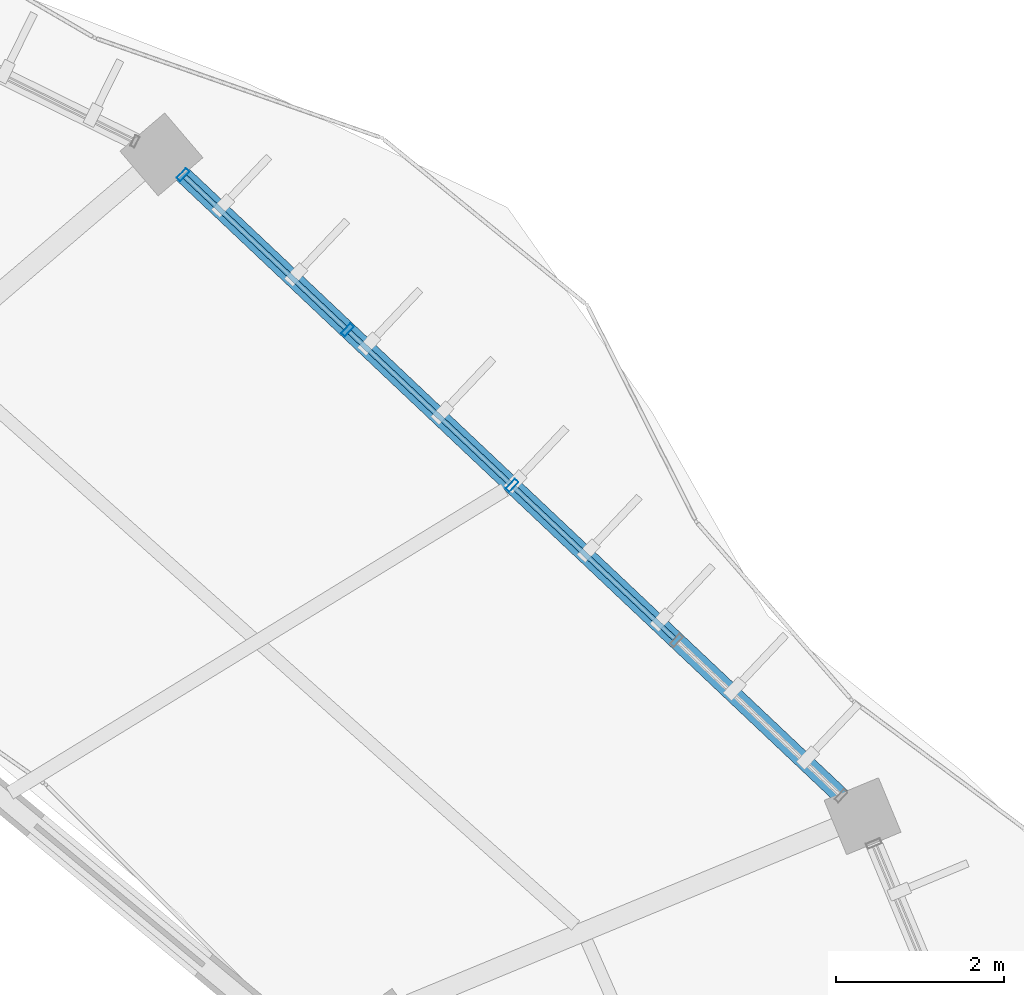
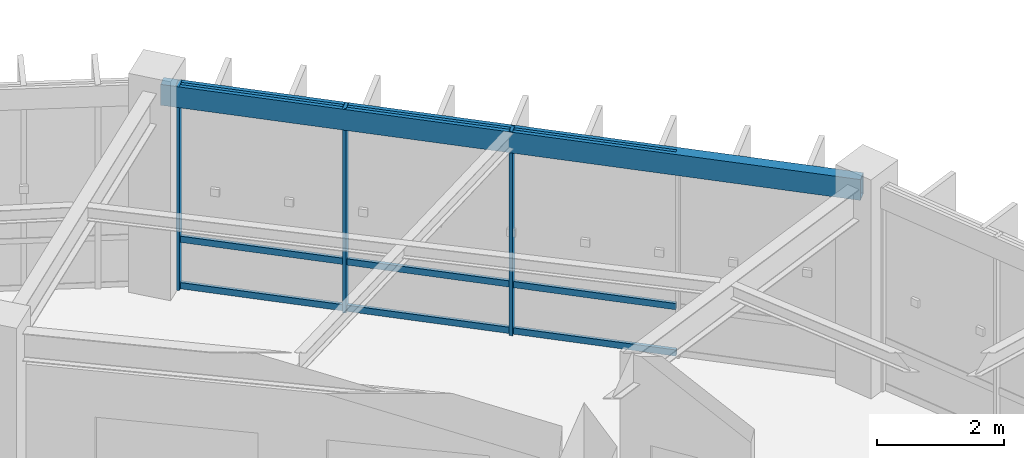
# One storey, part 100 of 138: 12 members, 1 beam, 1 element without a shape of its own.
"""IFC4 building model written with IfcOpenShell, lengths in metres."""

from ifc_helpers import new_model, si_unit, direction, frame, origin, origin_2d, place, context, subcontext, project, spatial, hollow_rectangle, extrude, material, material_profile, profile_set, type_object, element, aggregate, save


model = new_model("IFC4")

# Units and contexts
model_context = context("Model", 3, precision=1e-05, world=origin(), true_north=direction((0.0, 1.0)))
body_context = subcontext(model_context, "Body", "Model", "MODEL_VIEW")
ifc_project = project(units=[si_unit("LENGTHUNIT", "METRE"), si_unit("AREAUNIT", "SQUARE_METRE"), si_unit("VOLUMEUNIT", "CUBIC_METRE"), si_unit("PLANEANGLEUNIT", "RADIAN"), si_unit("MASSUNIT", "GRAM", prefix="KILO"), si_unit("THERMODYNAMICTEMPERATUREUNIT", "KELVIN"), si_unit("POWERUNIT", "WATT")], contexts=[model_context])

# Site, building, storey
site_placement = place(None, origin())
site = spatial("IfcSite", under=ifc_project, at=site_placement, CompositionType="ELEMENT")
building_placement = place(site_placement, origin())
building = spatial("IfcBuilding", under=site, at=building_placement, Name="Darbajah Civic Hall", CompositionType="ELEMENT")
storey_placement = place(building_placement, frame((0.0, 0.0, 9.60009765625)))
storey = spatial("IfcBuildingStorey", under=building, at=storey_placement, Name="L02", CompositionType="ELEMENT", Elevation=9.60009765625)

# Curtain wall, members
ifc_material_1 = material(Name="Anodised Bronze Aluminium and Low-E Glazing", Category="aluminium")
curtain_wall_type = type_object("IfcCurtainWallType", Name="Unitised Curtain Wall CW-39 10800x3900", PredefinedType="USERDEFINED", material=ifc_material_1)
curtain_wall_placement = place(storey_placement, origin())
curtain_wall = element("IfcCurtainWall", 1, at=curtain_wall_placement, inside=storey, type_object=curtain_wall_type, Name="L02 unitised curtain wall CW-V1O-L02-01", ObjectType="UNITISED CURTAIN WALL", PredefinedType="USERDEFINED")
ifc_material_2 = material(Name="Anodised Bronze Aluminium", Category="aluminium")
ifc_material_profile_1 = material_profile(ifc_material_2, hollow_rectangle(XDim=0.06005859375, YDim=0.159912109375, WallThickness=0.00341796875, at=origin_2d()), Name="ALU MULLION 60x160")
ifc_profile_set_1 = profile_set([ifc_material_profile_1], Name="Anodised Bronze Aluminium")
member_type_1 = type_object("IfcMemberType", Name="ALU MULLION 60x160", PredefinedType="MULLION", material=ifc_profile_set_1)
member_1_placement = place(storey_placement, frame((132.04931640625, 105.02392578125, 0.0), z_axis=(0.0, 0.0, 1.0), x_axis=(-0.727173991201, 0.686453193248, 0.0)))
member_1 = element("IfcMember", 2, at=member_1_placement, type_object=member_type_1, Name="CW-V1O-L02-01 mullion 3", PredefinedType="MULLION", context=body_context, shape_type="SweptSolid", body=[
    extrude(hollow_rectangle(XDim=0.06005859375, YDim=0.159912109375, WallThickness=0.00341796875, at=origin_2d()), origin(), (0.0, 0.0, 1.0), 3.919921875),
])
member_2_placement = place(storey_placement, frame((130.093017578125, 106.87060546875, 0.0), z_axis=(0.0, 0.0, 1.0), x_axis=(-0.727173991201, 0.686453193248, 0.0)))
member_2 = element("IfcMember", 3, at=member_2_placement, type_object=member_type_1, Name="CW-V1O-L02-01 mullion 4", PredefinedType="MULLION", context=body_context, shape_type="SweptSolid", body=[
    extrude(hollow_rectangle(XDim=0.06005859375, YDim=0.159912109375, WallThickness=0.00341796875, at=origin_2d()), origin(), (0.0, 0.0, 1.0), 3.919921875),
])
member_3_placement = place(storey_placement, frame((128.13671875, 108.717041015625, 0.0), z_axis=(0.0, 0.0, 1.0), x_axis=(-0.727173991201, 0.686453193248, 0.0)))
member_3 = element("IfcMember", 4, at=member_3_placement, type_object=member_type_1, Name="CW-V1O-L02-01 mullion 5", PredefinedType="MULLION", context=body_context, shape_type="SweptSolid", body=[
    extrude(hollow_rectangle(XDim=0.06005859375, YDim=0.159912109375, WallThickness=0.00341796875, at=origin_2d()), origin(), (0.0, 0.0, 1.0), 3.919921875),
])
ifc_material_profile_2 = material_profile(ifc_material_2, hollow_rectangle(XDim=0.06005859375, YDim=0.1201171875, WallThickness=0.003173828125, at=origin_2d()), Name="ALU TRANSOM 60x120")
ifc_profile_set_2 = profile_set([ifc_material_profile_2], Name="Anodised Bronze Aluminium")
member_type_2 = type_object("IfcMemberType", Name="ALU TRANSOM 60x120", PredefinedType="USERDEFINED", material=ifc_profile_set_2)
member_4_placement = place(storey_placement, frame((133.97998046875, 103.201416015625, 0.059814453125), z_axis=(-0.727173346893, 0.686453875777, 0.0), x_axis=(-0.686453875777, -0.727173346893, 0.0)))
member_4 = element("IfcMember", 5, at=member_4_placement, type_object=member_type_2, Name="CW-V1O-L02-01 transom 2.1", ObjectType="TRANSOM", PredefinedType="USERDEFINED", context=body_context, shape_type="SweptSolid", body=[
    extrude(hollow_rectangle(XDim=0.06005859375, YDim=0.1201171875, WallThickness=0.003173828125, at=origin_2d()), origin(), (0.0, 0.0, 1.0), 2.6201171875),
])
member_5_placement = place(storey_placement, frame((133.97998046875, 103.201416015625, 0.949951171875), z_axis=(-0.727173346893, 0.686453875777, 0.0), x_axis=(-0.686453875777, -0.727173346893, 0.0)))
member_5 = element("IfcMember", 6, at=member_5_placement, type_object=member_type_2, Name="CW-V1O-L02-01 transom 2.2", ObjectType="TRANSOM", PredefinedType="USERDEFINED", context=body_context, shape_type="SweptSolid", body=[
    extrude(hollow_rectangle(XDim=0.06005859375, YDim=0.1201171875, WallThickness=0.003173828125, at=origin_2d()), origin(), (0.0, 0.0, 1.0), 2.6201171875),
])
member_6_placement = place(storey_placement, frame((133.97998046875, 103.201416015625, 3.85986328125), z_axis=(-0.727173346893, 0.686453875777, 0.0), x_axis=(-0.686453875777, -0.727173346893, 0.0)))
member_6 = element("IfcMember", 7, at=member_6_placement, type_object=member_type_2, Name="CW-V1O-L02-01 transom 2.3", ObjectType="TRANSOM", PredefinedType="USERDEFINED", context=body_context, shape_type="SweptSolid", body=[
    extrude(hollow_rectangle(XDim=0.06005859375, YDim=0.1201171875, WallThickness=0.003173828125, at=origin_2d()), origin(), (0.0, 0.0, 1.0), 2.6201171875),
])
member_7_placement = place(storey_placement, frame((132.023681640625, 105.048095703125, 0.059814453125), z_axis=(-0.727219860733, 0.686404599457, 0.0), x_axis=(-0.686404599457, -0.727219860733, 0.0)))
member_7 = element("IfcMember", 8, at=member_7_placement, type_object=member_type_2, Name="CW-V1O-L02-01 transom 3.1", ObjectType="TRANSOM", PredefinedType="USERDEFINED", context=body_context, shape_type="SweptSolid", body=[
    extrude(hollow_rectangle(XDim=0.06005859375, YDim=0.1201171875, WallThickness=0.003173828125, at=origin_2d()), origin(), (0.0, 0.0, 1.0), 2.619873046875),
])
member_8_placement = place(storey_placement, frame((132.023681640625, 105.048095703125, 0.949951171875), z_axis=(-0.727219860733, 0.686404599457, 0.0), x_axis=(-0.686404599457, -0.727219860733, 0.0)))
member_8 = element("IfcMember", 9, at=member_8_placement, type_object=member_type_2, Name="CW-V1O-L02-01 transom 3.2", ObjectType="TRANSOM", PredefinedType="USERDEFINED", context=body_context, shape_type="SweptSolid", body=[
    extrude(hollow_rectangle(XDim=0.06005859375, YDim=0.1201171875, WallThickness=0.003173828125, at=origin_2d()), origin(), (0.0, 0.0, 1.0), 2.619873046875),
])
member_9_placement = place(storey_placement, frame((132.023681640625, 105.048095703125, 3.85986328125), z_axis=(-0.727219860733, 0.686404599457, 0.0), x_axis=(-0.686404599457, -0.727219860733, 0.0)))
member_9 = element("IfcMember", 10, at=member_9_placement, type_object=member_type_2, Name="CW-V1O-L02-01 transom 3.3", ObjectType="TRANSOM", PredefinedType="USERDEFINED", context=body_context, shape_type="SweptSolid", body=[
    extrude(hollow_rectangle(XDim=0.06005859375, YDim=0.1201171875, WallThickness=0.003173828125, at=origin_2d()), origin(), (0.0, 0.0, 1.0), 2.619873046875),
])
member_10_placement = place(storey_placement, frame((130.0673828125, 106.89453125, 0.059814453125), z_axis=(-0.727173346893, 0.686453875777, 0.0), x_axis=(-0.686453875777, -0.727173346893, 0.0)))
member_10 = element("IfcMember", 11, at=member_10_placement, type_object=member_type_2, Name="CW-V1O-L02-01 transom 4.1", ObjectType="TRANSOM", PredefinedType="USERDEFINED", context=body_context, shape_type="SweptSolid", body=[
    extrude(hollow_rectangle(XDim=0.06005859375, YDim=0.1201171875, WallThickness=0.003173828125, at=origin_2d()), origin(), (0.0, 0.0, 1.0), 2.6201171875),
])
member_11_placement = place(storey_placement, frame((130.0673828125, 106.89453125, 0.949951171875), z_axis=(-0.727173346893, 0.686453875777, 0.0), x_axis=(-0.686453875777, -0.727173346893, 0.0)))
member_11 = element("IfcMember", 12, at=member_11_placement, type_object=member_type_2, Name="CW-V1O-L02-01 transom 4.2", ObjectType="TRANSOM", PredefinedType="USERDEFINED", context=body_context, shape_type="SweptSolid", body=[
    extrude(hollow_rectangle(XDim=0.06005859375, YDim=0.1201171875, WallThickness=0.003173828125, at=origin_2d()), origin(), (0.0, 0.0, 1.0), 2.6201171875),
])
member_12_placement = place(storey_placement, frame((130.0673828125, 106.89453125, 3.85986328125), z_axis=(-0.727173346893, 0.686453875777, 0.0), x_axis=(-0.686453875777, -0.727173346893, 0.0)))
member_12 = element("IfcMember", 13, at=member_12_placement, type_object=member_type_2, Name="CW-V1O-L02-01 transom 4.3", ObjectType="TRANSOM", PredefinedType="USERDEFINED", context=body_context, shape_type="SweptSolid", body=[
    extrude(hollow_rectangle(XDim=0.06005859375, YDim=0.1201171875, WallThickness=0.003173828125, at=origin_2d()), origin(), (0.0, 0.0, 1.0), 2.6201171875),
])
aggregate(curtain_wall, [member_1, member_2, member_3, member_4, member_5, member_6, member_7, member_8, member_9, member_10, member_11, member_12])

# Beam
ifc_material_3 = material(Name="Steel S355JR", Category="steel")
ifc_material_profile_3 = material_profile(ifc_material_3, hollow_rectangle(XDim=0.199951171875, YDim=0.39990234375, WallThickness=0.013916015625, at=origin_2d()), Name="RHS 400x200x14")
ifc_profile_set_3 = profile_set([ifc_material_profile_3], Name="Steel S355JR")
beam_type = type_object("IfcBeamType", Name="RHS 400x200x14", PredefinedType="SPANDREL", material=ifc_profile_set_3)
beam_placement = place(storey_placement, frame((136.15966796875, 101.14404296875, 3.719970703125), z_axis=(-0.727199990638, 0.686425650465, 0.0), x_axis=(-0.686425650465, -0.727199990638, 0.0)))
element("IfcBeam", 14, at=beam_placement, inside=storey, type_object=beam_type, Name="L02 beam SP-RHS400", PredefinedType="SPANDREL", context=body_context, shape_type="SweptSolid", body=[
    extrude(hollow_rectangle(XDim=0.199951171875, YDim=0.39990234375, WallThickness=0.013916015625, at=origin_2d()), origin(), (0.0, 0.0, 1.0), 11.3046875),
])

save(model, "model.ifc")
